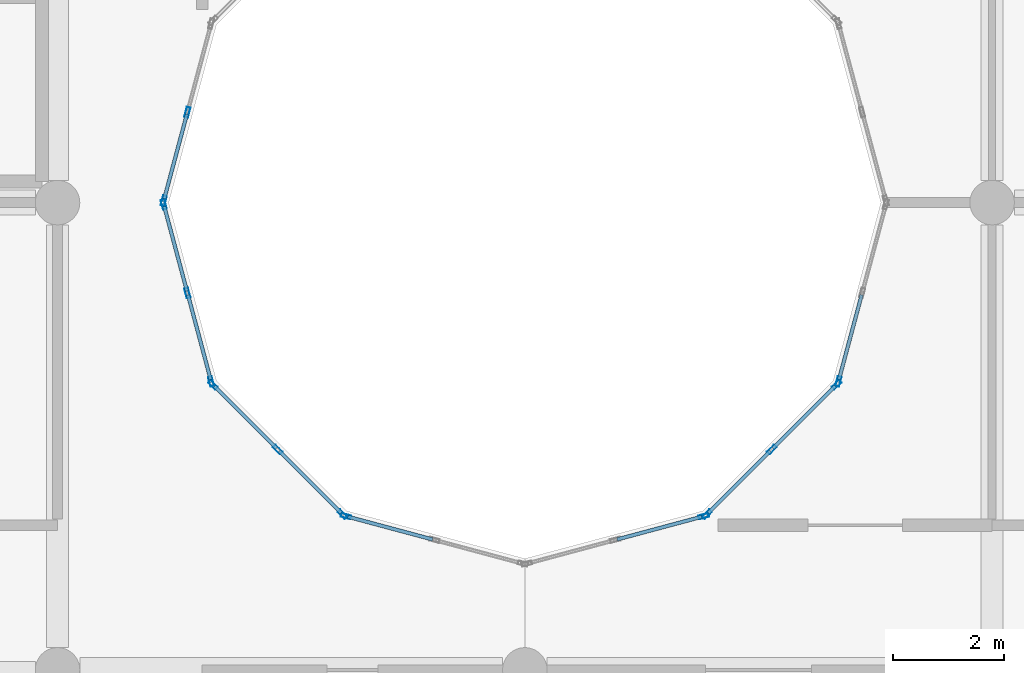
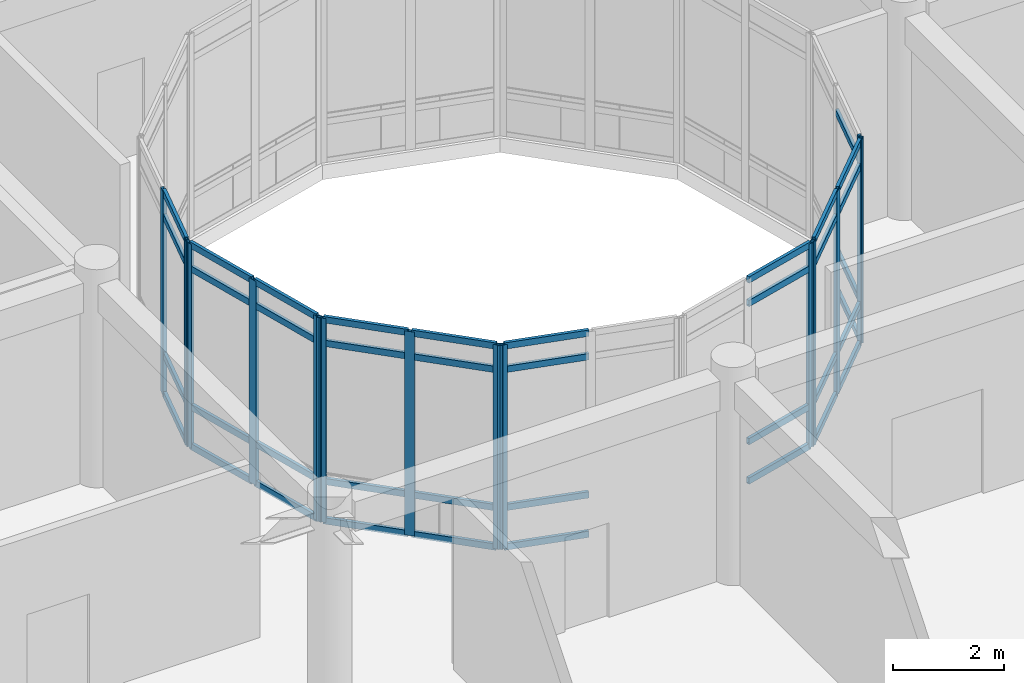
# One storey, part 42 of 138: 53 members, 7 elements without a shape of their own.
"""IFC4 building model written with IfcOpenShell, lengths in metres."""

from ifc_helpers import new_model, si_unit, direction, frame, origin, origin_2d, place, context, subcontext, project, spatial, hollow_rectangle, extrude, material, layer, layer_set, material_profile, profile_set, type_object, element, aggregate, save


model = new_model("IFC4")

# Units and contexts
model_context = context("Model", 3, precision=1e-05, world=origin(), true_north=direction((0.0, 1.0)))
body_context = subcontext(model_context, "Body", "Model", "MODEL_VIEW")
ifc_project = project(units=[si_unit("LENGTHUNIT", "METRE"), si_unit("AREAUNIT", "SQUARE_METRE"), si_unit("VOLUMEUNIT", "CUBIC_METRE"), si_unit("PLANEANGLEUNIT", "RADIAN"), si_unit("MASSUNIT", "GRAM", prefix="KILO")], contexts=[model_context])

# Site, building, storey
site_placement = place(None, origin())
site = spatial("IfcSite", under=ifc_project, at=site_placement, CompositionType="ELEMENT")
building_placement = place(site_placement, origin())
building = spatial("IfcBuilding", under=site, at=building_placement, Name="Bramfleet General Hospital", CompositionType="ELEMENT")
storey_placement = place(building_placement, origin())
storey = spatial("IfcBuildingStorey", under=building, at=storey_placement, Name="L00", CompositionType="ELEMENT", Elevation=0.0)

# Curtain wall, members
ifc_material_1 = material(Name="Anodised aluminium and low-E triple glazing", Category="aluminium")
ifc_layer_1 = layer(ifc_material_1, 0.179931640625, Name="CWT-CW-13")
ifc_layer_set_1 = layer_set([ifc_layer_1], Name="Anodised aluminium and low-E triple glazing")
curtain_wall_type_1 = type_object("IfcCurtainWallType", Name="CWT-CW-13", PredefinedType="USERDEFINED", material=ifc_layer_set_1)
curtain_wall_1_placement = place(storey_placement, origin())
curtain_wall_1 = element("IfcCurtainWall", 1, at=curtain_wall_1_placement, inside=storey, type_object=curtain_wall_type_1, Name="L00 East Laboratory Light Court Curtain Wall 1.1", ObjectType="Stick curtain wall", PredefinedType="USERDEFINED")
ifc_material_2 = material(Name="Anodised aluminium EN AW-6060", Category="aluminium")
ifc_material_profile_1 = material_profile(ifc_material_2, hollow_rectangle(XDim=0.070068359375, YDim=0.179931640625, WallThickness=0.00390625, at=origin_2d()), Name="ALU 180x70x4.0")
ifc_profile_set_1 = profile_set([ifc_material_profile_1], Name="Anodised aluminium EN AW-6060")
member_type_1 = type_object("IfcMemberType", Name="CWM-ALU180", PredefinedType="MULLION", material=ifc_profile_set_1)
member_1_placement = place(storey_placement, frame((111.109130859375, 67.166259765625, 0.0), z_axis=(0.0, 0.0, 1.0), x_axis=(0.965913556273, 0.258864833085, 0.0)))
member_1 = element("IfcMember", 2, at=member_1_placement, type_object=member_type_1, Name="CW-13 mullion 1", PredefinedType="MULLION", context=body_context, shape_type="SweptSolid", body=[
    extrude(hollow_rectangle(XDim=0.070068359375, YDim=0.179931640625, WallThickness=0.00390625, at=origin_2d()), origin(), (0.0, 0.0, 1.0), 4.489990234375),
])
member_2_placement = place(storey_placement, frame((111.535400390625, 65.574951171875, 0.0), z_axis=(0.0, 0.0, 1.0), x_axis=(0.965913556273, 0.258864833085, 0.0)))
member_2 = element("IfcMember", 3, at=member_2_placement, type_object=member_type_1, Name="CW-13 mullion 2", PredefinedType="MULLION", context=body_context, shape_type="SweptSolid", body=[
    extrude(hollow_rectangle(XDim=0.070068359375, YDim=0.179931640625, WallThickness=0.00390625, at=origin_2d()), origin(), (0.0, 0.0, 1.0), 4.489990234375),
])
member_3_placement = place(storey_placement, frame((111.9619140625, 63.98388671875, 0.0), z_axis=(0.0, 0.0, 1.0), x_axis=(0.965913556273, 0.258864833085, 0.0)))
member_3 = element("IfcMember", 4, at=member_3_placement, type_object=member_type_1, Name="CW-13 mullion 3", PredefinedType="MULLION", context=body_context, shape_type="SweptSolid", body=[
    extrude(hollow_rectangle(XDim=0.070068359375, YDim=0.179931640625, WallThickness=0.00390625, at=origin_2d()), origin(), (0.0, 0.0, 1.0), 4.489990234375),
])

ifc_layer_2 = layer(ifc_material_1, 0.179931640625, Name="CWT-CW-14")
ifc_layer_set_2 = layer_set([ifc_layer_2], Name="Anodised aluminium and low-E triple glazing")
curtain_wall_type_2 = type_object("IfcCurtainWallType", Name="CWT-CW-14", PredefinedType="USERDEFINED", material=ifc_layer_set_2)
curtain_wall_2_placement = place(storey_placement, origin())
curtain_wall_2 = element("IfcCurtainWall", 5, at=curtain_wall_2_placement, inside=storey, type_object=curtain_wall_type_2, Name="L00 East Laboratory Light Court Curtain Wall 2.1", ObjectType="Stick curtain wall", PredefinedType="USERDEFINED")
member_4_placement = place(storey_placement, frame((111.995849609375, 63.92529296875, 0.0), z_axis=(0.0, 0.0, 1.0), x_axis=(0.707106781187, 0.707106781187, 0.0)))
member_4 = element("IfcMember", 6, at=member_4_placement, type_object=member_type_1, Name="CW-14 mullion 1", PredefinedType="MULLION", context=body_context, shape_type="SweptSolid", body=[
    extrude(hollow_rectangle(XDim=0.070068359375, YDim=0.179931640625, WallThickness=0.00390625, at=origin_2d()), origin(), (0.0, 0.0, 1.0), 4.489990234375),
])
member_5_placement = place(storey_placement, frame((113.160400390625, 62.760498046875, 0.0), z_axis=(0.0, 0.0, 1.0), x_axis=(0.707106781187, 0.707106781187, 0.0)))
member_5 = element("IfcMember", 7, at=member_5_placement, type_object=member_type_1, Name="CW-14 mullion 2", PredefinedType="MULLION", context=body_context, shape_type="SweptSolid", body=[
    extrude(hollow_rectangle(XDim=0.070068359375, YDim=0.179931640625, WallThickness=0.00390625, at=origin_2d()), origin(), (0.0, 0.0, 1.0), 4.489990234375),
])
member_6_placement = place(storey_placement, frame((114.3251953125, 61.595703125, 0.0), z_axis=(0.0, 0.0, 1.0), x_axis=(0.707106781187, 0.707106781187, 0.0)))
member_6 = element("IfcMember", 8, at=member_6_placement, type_object=member_type_1, Name="CW-14 mullion 3", PredefinedType="MULLION", context=body_context, shape_type="SweptSolid", body=[
    extrude(hollow_rectangle(XDim=0.070068359375, YDim=0.179931640625, WallThickness=0.00390625, at=origin_2d()), origin(), (0.0, 0.0, 1.0), 4.489990234375),
])

# Curtain wall, member
ifc_layer_3 = layer(ifc_material_1, 0.179931640625, Name="CWT-CW-15")
ifc_layer_set_3 = layer_set([ifc_layer_3], Name="Anodised aluminium and low-E triple glazing")
curtain_wall_type_3 = type_object("IfcCurtainWallType", Name="CWT-CW-15", PredefinedType="USERDEFINED", material=ifc_layer_set_3)
curtain_wall_3_placement = place(storey_placement, origin())
curtain_wall_3 = element("IfcCurtainWall", 9, at=curtain_wall_3_placement, inside=storey, type_object=curtain_wall_type_3, Name="L00 East Laboratory Light Court Curtain Wall 3.1", ObjectType="Stick curtain wall", PredefinedType="USERDEFINED")
member_7_placement = place(storey_placement, frame((114.3837890625, 61.56201171875, 0.0), z_axis=(0.0, 0.0, 1.0), x_axis=(0.258864833085, 0.965913556273, 0.0)))
member_7 = element("IfcMember", 10, at=member_7_placement, type_object=member_type_1, Name="CW-15 mullion 1", PredefinedType="MULLION", context=body_context, shape_type="SweptSolid", body=[
    extrude(hollow_rectangle(XDim=0.070068359375, YDim=0.179931640625, WallThickness=0.00390625, at=origin_2d()), origin(), (0.0, 0.0, 1.0), 4.489990234375),
])

ifc_layer_4 = layer(ifc_material_1, 0.179931640625, Name="CWT-CW-16")
ifc_layer_set_4 = layer_set([ifc_layer_4], Name="Anodised aluminium and low-E triple glazing")
curtain_wall_type_4 = type_object("IfcCurtainWallType", Name="CWT-CW-16", PredefinedType="USERDEFINED", material=ifc_layer_set_4)
curtain_wall_4_placement = place(storey_placement, origin())
curtain_wall_4 = element("IfcCurtainWall", 11, at=curtain_wall_4_placement, inside=storey, type_object=curtain_wall_type_4, Name="L00 East Laboratory Light Court Curtain Wall 4.1", ObjectType="Stick curtain wall", PredefinedType="USERDEFINED")
member_8_placement = place(storey_placement, frame((120.816162109375, 61.56201171875, 0.0), z_axis=(0.0, 0.0, 1.0), x_axis=(-0.258864833085, 0.965913556273, 0.0)))
member_8 = element("IfcMember", 12, at=member_8_placement, type_object=member_type_1, Name="CW-16 mullion 3", PredefinedType="MULLION", context=body_context, shape_type="SweptSolid", body=[
    extrude(hollow_rectangle(XDim=0.070068359375, YDim=0.179931640625, WallThickness=0.00390625, at=origin_2d()), origin(), (0.0, 0.0, 1.0), 4.489990234375),
])

# Curtain wall, members
ifc_layer_5 = layer(ifc_material_1, 0.179931640625, Name="CWT-CW-17")
ifc_layer_set_5 = layer_set([ifc_layer_5], Name="Anodised aluminium and low-E triple glazing")
curtain_wall_type_5 = type_object("IfcCurtainWallType", Name="CWT-CW-17", PredefinedType="USERDEFINED", material=ifc_layer_set_5)
curtain_wall_5_placement = place(storey_placement, origin())
curtain_wall_5 = element("IfcCurtainWall", 13, at=curtain_wall_5_placement, inside=storey, type_object=curtain_wall_type_5, Name="L00 East Laboratory Light Court Curtain Wall 5.1", ObjectType="Stick curtain wall", PredefinedType="USERDEFINED")
member_9_placement = place(storey_placement, frame((120.874755859375, 61.595703125, 0.0), z_axis=(0.0, 0.0, 1.0), x_axis=(-0.707106781187, 0.707106781187, 0.0)))
member_9 = element("IfcMember", 14, at=member_9_placement, type_object=member_type_1, Name="CW-17 mullion 1", PredefinedType="MULLION", context=body_context, shape_type="SweptSolid", body=[
    extrude(hollow_rectangle(XDim=0.070068359375, YDim=0.179931640625, WallThickness=0.00390625, at=origin_2d()), origin(), (0.0, 0.0, 1.0), 4.489990234375),
])
member_10_placement = place(storey_placement, frame((122.03955078125, 62.760498046875, 0.0), z_axis=(0.0, 0.0, 1.0), x_axis=(-0.707106781187, 0.707106781187, 0.0)))
member_10 = element("IfcMember", 15, at=member_10_placement, type_object=member_type_1, Name="CW-17 mullion 2", PredefinedType="MULLION", context=body_context, shape_type="SweptSolid", body=[
    extrude(hollow_rectangle(XDim=0.070068359375, YDim=0.179931640625, WallThickness=0.00390625, at=origin_2d()), origin(), (0.0, 0.0, 1.0), 4.489990234375),
])
member_11_placement = place(storey_placement, frame((123.204345703125, 63.92529296875, 0.0), z_axis=(0.0, 0.0, 1.0), x_axis=(-0.707106781187, 0.707106781187, 0.0)))
member_11 = element("IfcMember", 16, at=member_11_placement, type_object=member_type_1, Name="CW-17 mullion 3", PredefinedType="MULLION", context=body_context, shape_type="SweptSolid", body=[
    extrude(hollow_rectangle(XDim=0.070068359375, YDim=0.179931640625, WallThickness=0.00390625, at=origin_2d()), origin(), (0.0, 0.0, 1.0), 4.489990234375),
])

# Curtain wall, member
ifc_layer_6 = layer(ifc_material_1, 0.179931640625, Name="CWT-CW-18")
ifc_layer_set_6 = layer_set([ifc_layer_6], Name="Anodised aluminium and low-E triple glazing")
curtain_wall_type_6 = type_object("IfcCurtainWallType", Name="CWT-CW-18", PredefinedType="USERDEFINED", material=ifc_layer_set_6)
curtain_wall_6_placement = place(storey_placement, origin())
curtain_wall_6 = element("IfcCurtainWall", 17, at=curtain_wall_6_placement, inside=storey, type_object=curtain_wall_type_6, Name="L00 East Laboratory Light Court Curtain Wall 6.1", ObjectType="Stick curtain wall", PredefinedType="USERDEFINED")
member_12_placement = place(storey_placement, frame((123.238037109375, 63.98388671875, 0.0), z_axis=(0.0, 0.0, 1.0), x_axis=(-0.965913556273, 0.258864833085, 0.0)))
member_12 = element("IfcMember", 18, at=member_12_placement, type_object=member_type_1, Name="CW-18 mullion 1", PredefinedType="MULLION", context=body_context, shape_type="SweptSolid", body=[
    extrude(hollow_rectangle(XDim=0.070068359375, YDim=0.179931640625, WallThickness=0.00390625, at=origin_2d()), origin(), (0.0, 0.0, 1.0), 4.489990234375),
])

# Curtain wall, members
curtain_wall_7_placement = place(storey_placement, origin())
curtain_wall_7 = element("IfcCurtainWall", 19, at=curtain_wall_7_placement, inside=storey, type_object=curtain_wall_type_4, Name="L00 East Laboratory Light Court Curtain Wall 12.1", ObjectType="Stick curtain wall", PredefinedType="USERDEFINED")
member_13_placement = place(storey_placement, frame((111.535400390625, 68.824951171875, 0.0), z_axis=(0.0, 0.0, 1.0), x_axis=(0.965913556273, -0.258864833085, 0.0)))
member_13 = element("IfcMember", 20, at=member_13_placement, type_object=member_type_1, Name="CW-16 mullion 2", PredefinedType="MULLION", context=body_context, shape_type="SweptSolid", body=[
    extrude(hollow_rectangle(XDim=0.070068359375, YDim=0.179931640625, WallThickness=0.00390625, at=origin_2d()), origin(), (0.0, 0.0, 1.0), 4.489990234375),
])
member_14_placement = place(storey_placement, frame((111.109130859375, 67.23388671875, 0.0), z_axis=(0.0, 0.0, 1.0), x_axis=(0.965913556273, -0.258864833085, 0.0)))
member_14 = element("IfcMember", 21, at=member_14_placement, type_object=member_type_1, Name="CW-16 mullion 3", PredefinedType="MULLION", context=body_context, shape_type="SweptSolid", body=[
    extrude(hollow_rectangle(XDim=0.070068359375, YDim=0.179931640625, WallThickness=0.00390625, at=origin_2d()), origin(), (0.0, 0.0, 1.0), 4.489990234375),
])

# Member
ifc_material_profile_2 = material_profile(ifc_material_2, hollow_rectangle(XDim=0.06494140625, YDim=0.139892578125, WallThickness=0.00390625, at=origin_2d()), Name="ALU 140x65x4.0")
ifc_profile_set_2 = profile_set([ifc_material_profile_2], Name="Anodised aluminium EN AW-6060")
member_type_2 = type_object("IfcMemberType", Name="CWT-ALU140", PredefinedType="USERDEFINED", material=ifc_profile_set_2)
member_15_placement = place(storey_placement, frame((111.1181640625, 67.13232421875, 0.032470703125), z_axis=(0.258818617489, -0.965925940868, 0.0), x_axis=(0.965925940868, 0.258818617489, 0.0)))
member_15 = element("IfcMember", 22, at=member_15_placement, type_object=member_type_2, Name="CW-13 transom 1.1", ObjectType="TRANSOM", PredefinedType="USERDEFINED", context=body_context, shape_type="SweptSolid", body=[
    extrude(hollow_rectangle(XDim=0.06494140625, YDim=0.139892578125, WallThickness=0.00390625, at=origin_2d()), origin(), (0.0, 0.0, 1.0), 1.5771484375),
])

member_16_placement = place(storey_placement, frame((111.1181640625, 67.13232421875, 0.89990234375), z_axis=(0.258818617489, -0.965925940868, 0.0), x_axis=(0.965925940868, 0.258818617489, 0.0)))
member_16 = element("IfcMember", 23, at=member_16_placement, type_object=member_type_2, Name="CW-13 transom 1.2", ObjectType="TRANSOM", PredefinedType="USERDEFINED", context=body_context, shape_type="SweptSolid", body=[
    extrude(hollow_rectangle(XDim=0.06494140625, YDim=0.139892578125, WallThickness=0.00390625, at=origin_2d()), origin(), (0.0, 0.0, 1.0), 1.5771484375),
])

member_17_placement = place(storey_placement, frame((111.1181640625, 67.13232421875, 3.93994140625), z_axis=(0.258818617489, -0.965925940868, 0.0), x_axis=(0.965925940868, 0.258818617489, 0.0)))
member_17 = element("IfcMember", 24, at=member_17_placement, type_object=member_type_2, Name="CW-13 transom 1.3", ObjectType="TRANSOM", PredefinedType="USERDEFINED", context=body_context, shape_type="SweptSolid", body=[
    extrude(hollow_rectangle(XDim=0.06494140625, YDim=0.139892578125, WallThickness=0.00390625, at=origin_2d()), origin(), (0.0, 0.0, 1.0), 1.5771484375),
])

member_18_placement = place(storey_placement, frame((111.1181640625, 67.13232421875, 4.45751953125), z_axis=(0.258818617489, -0.965925940868, 0.0), x_axis=(0.965925940868, 0.258818617489, 0.0)))
member_18 = element("IfcMember", 25, at=member_18_placement, type_object=member_type_2, Name="CW-13 transom 1.4", ObjectType="TRANSOM", PredefinedType="USERDEFINED", context=body_context, shape_type="SweptSolid", body=[
    extrude(hollow_rectangle(XDim=0.06494140625, YDim=0.139892578125, WallThickness=0.00390625, at=origin_2d()), origin(), (0.0, 0.0, 1.0), 1.5771484375),
])

member_19_placement = place(storey_placement, frame((111.544677734375, 65.541259765625, 0.032470703125), z_axis=(0.25877992417, -0.965936307862, 0.0), x_axis=(0.965936307862, 0.25877992417, 0.0)))
member_19 = element("IfcMember", 26, at=member_19_placement, type_object=member_type_2, Name="CW-13 transom 2.1", ObjectType="TRANSOM", PredefinedType="USERDEFINED", context=body_context, shape_type="SweptSolid", body=[
    extrude(hollow_rectangle(XDim=0.06494140625, YDim=0.139892578125, WallThickness=0.00390625, at=origin_2d()), origin(), (0.0, 0.0, 1.0), 1.577392578125),
])

member_20_placement = place(storey_placement, frame((111.544677734375, 65.541259765625, 0.89990234375), z_axis=(0.25877992417, -0.965936307862, 0.0), x_axis=(0.965936307862, 0.25877992417, 0.0)))
member_20 = element("IfcMember", 27, at=member_20_placement, type_object=member_type_2, Name="CW-13 transom 2.2", ObjectType="TRANSOM", PredefinedType="USERDEFINED", context=body_context, shape_type="SweptSolid", body=[
    extrude(hollow_rectangle(XDim=0.06494140625, YDim=0.139892578125, WallThickness=0.00390625, at=origin_2d()), origin(), (0.0, 0.0, 1.0), 1.577392578125),
])

member_21_placement = place(storey_placement, frame((111.544677734375, 65.541259765625, 3.93994140625), z_axis=(0.25877992417, -0.965936307862, 0.0), x_axis=(0.965936307862, 0.25877992417, 0.0)))
member_21 = element("IfcMember", 28, at=member_21_placement, type_object=member_type_2, Name="CW-13 transom 2.3", ObjectType="TRANSOM", PredefinedType="USERDEFINED", context=body_context, shape_type="SweptSolid", body=[
    extrude(hollow_rectangle(XDim=0.06494140625, YDim=0.139892578125, WallThickness=0.00390625, at=origin_2d()), origin(), (0.0, 0.0, 1.0), 1.577392578125),
])

member_22_placement = place(storey_placement, frame((111.544677734375, 65.541259765625, 4.45751953125), z_axis=(0.25877992417, -0.965936307862, 0.0), x_axis=(0.965936307862, 0.25877992417, 0.0)))
member_22 = element("IfcMember", 29, at=member_22_placement, type_object=member_type_2, Name="CW-13 transom 2.4", ObjectType="TRANSOM", PredefinedType="USERDEFINED", context=body_context, shape_type="SweptSolid", body=[
    extrude(hollow_rectangle(XDim=0.06494140625, YDim=0.139892578125, WallThickness=0.00390625, at=origin_2d()), origin(), (0.0, 0.0, 1.0), 1.577392578125),
])

aggregate(curtain_wall_1, [member_1, member_2, member_3, member_15, member_16, member_17, member_18, member_19, member_20, member_21, member_22])

member_23_placement = place(storey_placement, frame((112.0205078125, 63.900390625, 0.032470703125), z_axis=(0.707106781187, -0.707106781187, 0.0), x_axis=(0.707106781187, 0.707106781187, 0.0)))
member_23 = element("IfcMember", 30, at=member_23_placement, type_object=member_type_2, Name="CW-14 transom 1.1", ObjectType="TRANSOM", PredefinedType="USERDEFINED", context=body_context, shape_type="SweptSolid", body=[
    extrude(hollow_rectangle(XDim=0.06494140625, YDim=0.139892578125, WallThickness=0.00390625, at=origin_2d()), origin(), (0.0, 0.0, 1.0), 1.5771484375),
])

member_24_placement = place(storey_placement, frame((112.0205078125, 63.900390625, 0.89990234375), z_axis=(0.707106781187, -0.707106781187, 0.0), x_axis=(0.707106781187, 0.707106781187, 0.0)))
member_24 = element("IfcMember", 31, at=member_24_placement, type_object=member_type_2, Name="CW-14 transom 1.2", ObjectType="TRANSOM", PredefinedType="USERDEFINED", context=body_context, shape_type="SweptSolid", body=[
    extrude(hollow_rectangle(XDim=0.06494140625, YDim=0.139892578125, WallThickness=0.00390625, at=origin_2d()), origin(), (0.0, 0.0, 1.0), 1.5771484375),
])

member_25_placement = place(storey_placement, frame((112.0205078125, 63.900390625, 3.93994140625), z_axis=(0.707106781187, -0.707106781187, 0.0), x_axis=(0.707106781187, 0.707106781187, 0.0)))
member_25 = element("IfcMember", 32, at=member_25_placement, type_object=member_type_2, Name="CW-14 transom 1.3", ObjectType="TRANSOM", PredefinedType="USERDEFINED", context=body_context, shape_type="SweptSolid", body=[
    extrude(hollow_rectangle(XDim=0.06494140625, YDim=0.139892578125, WallThickness=0.00390625, at=origin_2d()), origin(), (0.0, 0.0, 1.0), 1.5771484375),
])

member_26_placement = place(storey_placement, frame((112.0205078125, 63.900390625, 4.45751953125), z_axis=(0.707106781187, -0.707106781187, 0.0), x_axis=(0.707106781187, 0.707106781187, 0.0)))
member_26 = element("IfcMember", 33, at=member_26_placement, type_object=member_type_2, Name="CW-14 transom 1.4", ObjectType="TRANSOM", PredefinedType="USERDEFINED", context=body_context, shape_type="SweptSolid", body=[
    extrude(hollow_rectangle(XDim=0.06494140625, YDim=0.139892578125, WallThickness=0.00390625, at=origin_2d()), origin(), (0.0, 0.0, 1.0), 1.5771484375),
])

member_27_placement = place(storey_placement, frame((113.185302734375, 62.73583984375, 0.032470703125), z_axis=(0.707106781187, -0.707106781187, 0.0), x_axis=(0.707106781187, 0.707106781187, 0.0)))
member_27 = element("IfcMember", 34, at=member_27_placement, type_object=member_type_2, Name="CW-14 transom 2.1", ObjectType="TRANSOM", PredefinedType="USERDEFINED", context=body_context, shape_type="SweptSolid", body=[
    extrude(hollow_rectangle(XDim=0.06494140625, YDim=0.139892578125, WallThickness=0.00390625, at=origin_2d()), origin(), (0.0, 0.0, 1.0), 1.5771484375),
])

member_28_placement = place(storey_placement, frame((113.185302734375, 62.73583984375, 0.89990234375), z_axis=(0.707106781187, -0.707106781187, 0.0), x_axis=(0.707106781187, 0.707106781187, 0.0)))
member_28 = element("IfcMember", 35, at=member_28_placement, type_object=member_type_2, Name="CW-14 transom 2.2", ObjectType="TRANSOM", PredefinedType="USERDEFINED", context=body_context, shape_type="SweptSolid", body=[
    extrude(hollow_rectangle(XDim=0.06494140625, YDim=0.139892578125, WallThickness=0.00390625, at=origin_2d()), origin(), (0.0, 0.0, 1.0), 1.5771484375),
])

member_29_placement = place(storey_placement, frame((113.185302734375, 62.73583984375, 3.93994140625), z_axis=(0.707106781187, -0.707106781187, 0.0), x_axis=(0.707106781187, 0.707106781187, 0.0)))
member_29 = element("IfcMember", 36, at=member_29_placement, type_object=member_type_2, Name="CW-14 transom 2.3", ObjectType="TRANSOM", PredefinedType="USERDEFINED", context=body_context, shape_type="SweptSolid", body=[
    extrude(hollow_rectangle(XDim=0.06494140625, YDim=0.139892578125, WallThickness=0.00390625, at=origin_2d()), origin(), (0.0, 0.0, 1.0), 1.5771484375),
])

member_30_placement = place(storey_placement, frame((113.185302734375, 62.73583984375, 4.45751953125), z_axis=(0.707106781187, -0.707106781187, 0.0), x_axis=(0.707106781187, 0.707106781187, 0.0)))
member_30 = element("IfcMember", 37, at=member_30_placement, type_object=member_type_2, Name="CW-14 transom 2.4", ObjectType="TRANSOM", PredefinedType="USERDEFINED", context=body_context, shape_type="SweptSolid", body=[
    extrude(hollow_rectangle(XDim=0.06494140625, YDim=0.139892578125, WallThickness=0.00390625, at=origin_2d()), origin(), (0.0, 0.0, 1.0), 1.5771484375),
])

aggregate(curtain_wall_2, [member_4, member_5, member_6, member_23, member_24, member_25, member_26, member_27, member_28, member_29, member_30])

member_31_placement = place(storey_placement, frame((114.417724609375, 61.552978515625, 0.032470703125), z_axis=(0.965887232725, -0.258963035312, 0.0), x_axis=(0.258963035312, 0.965887232725, 0.0)))
member_31 = element("IfcMember", 38, at=member_31_placement, type_object=member_type_2, Name="CW-15 transom 1.1", ObjectType="TRANSOM", PredefinedType="USERDEFINED", context=body_context, shape_type="SweptSolid", body=[
    extrude(hollow_rectangle(XDim=0.06494140625, YDim=0.139892578125, WallThickness=0.00390625, at=origin_2d()), origin(), (0.0, 0.0, 1.0), 1.5771484375),
])

member_32_placement = place(storey_placement, frame((114.417724609375, 61.552978515625, 0.89990234375), z_axis=(0.965887232725, -0.258963035312, 0.0), x_axis=(0.258963035312, 0.965887232725, 0.0)))
member_32 = element("IfcMember", 39, at=member_32_placement, type_object=member_type_2, Name="CW-15 transom 1.2", ObjectType="TRANSOM", PredefinedType="USERDEFINED", context=body_context, shape_type="SweptSolid", body=[
    extrude(hollow_rectangle(XDim=0.06494140625, YDim=0.139892578125, WallThickness=0.00390625, at=origin_2d()), origin(), (0.0, 0.0, 1.0), 1.5771484375),
])

member_33_placement = place(storey_placement, frame((114.417724609375, 61.552978515625, 3.93994140625), z_axis=(0.965887232725, -0.258963035312, 0.0), x_axis=(0.258963035312, 0.965887232725, 0.0)))
member_33 = element("IfcMember", 40, at=member_33_placement, type_object=member_type_2, Name="CW-15 transom 1.3", ObjectType="TRANSOM", PredefinedType="USERDEFINED", context=body_context, shape_type="SweptSolid", body=[
    extrude(hollow_rectangle(XDim=0.06494140625, YDim=0.139892578125, WallThickness=0.00390625, at=origin_2d()), origin(), (0.0, 0.0, 1.0), 1.5771484375),
])

member_34_placement = place(storey_placement, frame((114.417724609375, 61.552978515625, 4.45751953125), z_axis=(0.965887232725, -0.258963035312, 0.0), x_axis=(0.258963035312, 0.965887232725, 0.0)))
member_34 = element("IfcMember", 41, at=member_34_placement, type_object=member_type_2, Name="CW-15 transom 1.4", ObjectType="TRANSOM", PredefinedType="USERDEFINED", context=body_context, shape_type="SweptSolid", body=[
    extrude(hollow_rectangle(XDim=0.06494140625, YDim=0.139892578125, WallThickness=0.00390625, at=origin_2d()), origin(), (0.0, 0.0, 1.0), 1.5771484375),
])

aggregate(curtain_wall_3, [member_7, member_31, member_32, member_33, member_34])

member_35_placement = place(storey_placement, frame((119.2587890625, 61.14453125, 0.032470703125), z_axis=(0.965897610877, 0.258924323505, 0.0), x_axis=(-0.258924323505, 0.965897610877, 0.0)))
member_35 = element("IfcMember", 42, at=member_35_placement, type_object=member_type_2, Name="CW-16 transom 2.1", ObjectType="TRANSOM", PredefinedType="USERDEFINED", context=body_context, shape_type="SweptSolid", body=[
    extrude(hollow_rectangle(XDim=0.06494140625, YDim=0.139892578125, WallThickness=0.00390625, at=origin_2d()), origin(), (0.0, 0.0, 1.0), 1.577392578125),
])

member_36_placement = place(storey_placement, frame((119.2587890625, 61.14453125, 0.89990234375), z_axis=(0.965897610877, 0.258924323505, 0.0), x_axis=(-0.258924323505, 0.965897610877, 0.0)))
member_36 = element("IfcMember", 43, at=member_36_placement, type_object=member_type_2, Name="CW-16 transom 2.2", ObjectType="TRANSOM", PredefinedType="USERDEFINED", context=body_context, shape_type="SweptSolid", body=[
    extrude(hollow_rectangle(XDim=0.06494140625, YDim=0.139892578125, WallThickness=0.00390625, at=origin_2d()), origin(), (0.0, 0.0, 1.0), 1.577392578125),
])

member_37_placement = place(storey_placement, frame((119.2587890625, 61.14453125, 3.93994140625), z_axis=(0.965897610877, 0.258924323505, 0.0), x_axis=(-0.258924323505, 0.965897610877, 0.0)))
member_37 = element("IfcMember", 44, at=member_37_placement, type_object=member_type_2, Name="CW-16 transom 2.3", ObjectType="TRANSOM", PredefinedType="USERDEFINED", context=body_context, shape_type="SweptSolid", body=[
    extrude(hollow_rectangle(XDim=0.06494140625, YDim=0.139892578125, WallThickness=0.00390625, at=origin_2d()), origin(), (0.0, 0.0, 1.0), 1.577392578125),
])

member_38_placement = place(storey_placement, frame((119.2587890625, 61.14453125, 4.45751953125), z_axis=(0.965897610877, 0.258924323505, 0.0), x_axis=(-0.258924323505, 0.965897610877, 0.0)))
member_38 = element("IfcMember", 45, at=member_38_placement, type_object=member_type_2, Name="CW-16 transom 2.4", ObjectType="TRANSOM", PredefinedType="USERDEFINED", context=body_context, shape_type="SweptSolid", body=[
    extrude(hollow_rectangle(XDim=0.06494140625, YDim=0.139892578125, WallThickness=0.00390625, at=origin_2d()), origin(), (0.0, 0.0, 1.0), 1.577392578125),
])

aggregate(curtain_wall_4, [member_8, member_35, member_36, member_37, member_38])

member_39_placement = place(storey_placement, frame((120.8994140625, 61.62060546875, 0.032470703125), z_axis=(0.707106781187, 0.707106781187, 0.0), x_axis=(-0.707106781187, 0.707106781187, 0.0)))
member_39 = element("IfcMember", 46, at=member_39_placement, type_object=member_type_2, Name="CW-17 transom 1.1", ObjectType="TRANSOM", PredefinedType="USERDEFINED", context=body_context, shape_type="SweptSolid", body=[
    extrude(hollow_rectangle(XDim=0.06494140625, YDim=0.139892578125, WallThickness=0.00390625, at=origin_2d()), origin(), (0.0, 0.0, 1.0), 1.5771484375),
])

member_40_placement = place(storey_placement, frame((120.8994140625, 61.62060546875, 0.89990234375), z_axis=(0.707106781187, 0.707106781187, 0.0), x_axis=(-0.707106781187, 0.707106781187, 0.0)))
member_40 = element("IfcMember", 47, at=member_40_placement, type_object=member_type_2, Name="CW-17 transom 1.2", ObjectType="TRANSOM", PredefinedType="USERDEFINED", context=body_context, shape_type="SweptSolid", body=[
    extrude(hollow_rectangle(XDim=0.06494140625, YDim=0.139892578125, WallThickness=0.00390625, at=origin_2d()), origin(), (0.0, 0.0, 1.0), 1.5771484375),
])

member_41_placement = place(storey_placement, frame((120.8994140625, 61.62060546875, 3.93994140625), z_axis=(0.707106781187, 0.707106781187, 0.0), x_axis=(-0.707106781187, 0.707106781187, 0.0)))
member_41 = element("IfcMember", 48, at=member_41_placement, type_object=member_type_2, Name="CW-17 transom 1.3", ObjectType="TRANSOM", PredefinedType="USERDEFINED", context=body_context, shape_type="SweptSolid", body=[
    extrude(hollow_rectangle(XDim=0.06494140625, YDim=0.139892578125, WallThickness=0.00390625, at=origin_2d()), origin(), (0.0, 0.0, 1.0), 1.5771484375),
])

member_42_placement = place(storey_placement, frame((120.8994140625, 61.62060546875, 4.45751953125), z_axis=(0.707106781187, 0.707106781187, 0.0), x_axis=(-0.707106781187, 0.707106781187, 0.0)))
member_42 = element("IfcMember", 49, at=member_42_placement, type_object=member_type_2, Name="CW-17 transom 1.4", ObjectType="TRANSOM", PredefinedType="USERDEFINED", context=body_context, shape_type="SweptSolid", body=[
    extrude(hollow_rectangle(XDim=0.06494140625, YDim=0.139892578125, WallThickness=0.00390625, at=origin_2d()), origin(), (0.0, 0.0, 1.0), 1.5771484375),
])

member_43_placement = place(storey_placement, frame((122.064208984375, 62.78515625, 0.032470703125), z_axis=(0.707106781187, 0.707106781187, 0.0), x_axis=(-0.707106781187, 0.707106781187, 0.0)))
member_43 = element("IfcMember", 50, at=member_43_placement, type_object=member_type_2, Name="CW-17 transom 2.1", ObjectType="TRANSOM", PredefinedType="USERDEFINED", context=body_context, shape_type="SweptSolid", body=[
    extrude(hollow_rectangle(XDim=0.06494140625, YDim=0.139892578125, WallThickness=0.00390625, at=origin_2d()), origin(), (0.0, 0.0, 1.0), 1.5771484375),
])

member_44_placement = place(storey_placement, frame((122.064208984375, 62.78515625, 0.89990234375), z_axis=(0.707106781187, 0.707106781187, 0.0), x_axis=(-0.707106781187, 0.707106781187, 0.0)))
member_44 = element("IfcMember", 51, at=member_44_placement, type_object=member_type_2, Name="CW-17 transom 2.2", ObjectType="TRANSOM", PredefinedType="USERDEFINED", context=body_context, shape_type="SweptSolid", body=[
    extrude(hollow_rectangle(XDim=0.06494140625, YDim=0.139892578125, WallThickness=0.00390625, at=origin_2d()), origin(), (0.0, 0.0, 1.0), 1.5771484375),
])

member_45_placement = place(storey_placement, frame((122.064208984375, 62.78515625, 3.93994140625), z_axis=(0.707106781187, 0.707106781187, 0.0), x_axis=(-0.707106781187, 0.707106781187, 0.0)))
member_45 = element("IfcMember", 52, at=member_45_placement, type_object=member_type_2, Name="CW-17 transom 2.3", ObjectType="TRANSOM", PredefinedType="USERDEFINED", context=body_context, shape_type="SweptSolid", body=[
    extrude(hollow_rectangle(XDim=0.06494140625, YDim=0.139892578125, WallThickness=0.00390625, at=origin_2d()), origin(), (0.0, 0.0, 1.0), 1.5771484375),
])

member_46_placement = place(storey_placement, frame((122.064208984375, 62.78515625, 4.45751953125), z_axis=(0.707106781187, 0.707106781187, 0.0), x_axis=(-0.707106781187, 0.707106781187, 0.0)))
member_46 = element("IfcMember", 53, at=member_46_placement, type_object=member_type_2, Name="CW-17 transom 2.4", ObjectType="TRANSOM", PredefinedType="USERDEFINED", context=body_context, shape_type="SweptSolid", body=[
    extrude(hollow_rectangle(XDim=0.06494140625, YDim=0.139892578125, WallThickness=0.00390625, at=origin_2d()), origin(), (0.0, 0.0, 1.0), 1.5771484375),
])

aggregate(curtain_wall_5, [member_9, member_10, member_11, member_39, member_40, member_41, member_42, member_43, member_44, member_45, member_46])

member_47_placement = place(storey_placement, frame((123.2470703125, 64.017578125, 0.032470703125), z_axis=(0.258924323505, 0.965897610877, 0.0), x_axis=(-0.965897610877, 0.258924323505, 0.0)))
member_47 = element("IfcMember", 54, at=member_47_placement, type_object=member_type_2, Name="CW-18 transom 1.1", ObjectType="TRANSOM", PredefinedType="USERDEFINED", context=body_context, shape_type="SweptSolid", body=[
    extrude(hollow_rectangle(XDim=0.06494140625, YDim=0.139892578125, WallThickness=0.00390625, at=origin_2d()), origin(), (0.0, 0.0, 1.0), 1.577392578125),
])

member_48_placement = place(storey_placement, frame((123.2470703125, 64.017578125, 0.89990234375), z_axis=(0.258924323505, 0.965897610877, 0.0), x_axis=(-0.965897610877, 0.258924323505, 0.0)))
member_48 = element("IfcMember", 55, at=member_48_placement, type_object=member_type_2, Name="CW-18 transom 1.2", ObjectType="TRANSOM", PredefinedType="USERDEFINED", context=body_context, shape_type="SweptSolid", body=[
    extrude(hollow_rectangle(XDim=0.06494140625, YDim=0.139892578125, WallThickness=0.00390625, at=origin_2d()), origin(), (0.0, 0.0, 1.0), 1.577392578125),
])

member_49_placement = place(storey_placement, frame((123.2470703125, 64.017578125, 3.93994140625), z_axis=(0.258924323505, 0.965897610877, 0.0), x_axis=(-0.965897610877, 0.258924323505, 0.0)))
member_49 = element("IfcMember", 56, at=member_49_placement, type_object=member_type_2, Name="CW-18 transom 1.3", ObjectType="TRANSOM", PredefinedType="USERDEFINED", context=body_context, shape_type="SweptSolid", body=[
    extrude(hollow_rectangle(XDim=0.06494140625, YDim=0.139892578125, WallThickness=0.00390625, at=origin_2d()), origin(), (0.0, 0.0, 1.0), 1.577392578125),
])

aggregate(curtain_wall_6, [member_12, member_47, member_48, member_49])

member_50_placement = place(storey_placement, frame((111.5263671875, 68.791259765625, 0.032470703125), z_axis=(-0.25877992417, -0.965936307862, 0.0), x_axis=(0.965936307862, -0.25877992417, 0.0)))
member_50 = element("IfcMember", 57, at=member_50_placement, type_object=member_type_2, Name="CW-16 transom 2.1", ObjectType="TRANSOM", PredefinedType="USERDEFINED", context=body_context, shape_type="SweptSolid", body=[
    extrude(hollow_rectangle(XDim=0.06494140625, YDim=0.139892578125, WallThickness=0.00390625, at=origin_2d()), origin(), (0.0, 0.0, 1.0), 1.577392578125),
])

member_51_placement = place(storey_placement, frame((111.5263671875, 68.791259765625, 0.89990234375), z_axis=(-0.25877992417, -0.965936307862, 0.0), x_axis=(0.965936307862, -0.25877992417, 0.0)))
member_51 = element("IfcMember", 58, at=member_51_placement, type_object=member_type_2, Name="CW-16 transom 2.2", ObjectType="TRANSOM", PredefinedType="USERDEFINED", context=body_context, shape_type="SweptSolid", body=[
    extrude(hollow_rectangle(XDim=0.06494140625, YDim=0.139892578125, WallThickness=0.00390625, at=origin_2d()), origin(), (0.0, 0.0, 1.0), 1.577392578125),
])

member_52_placement = place(storey_placement, frame((111.5263671875, 68.791259765625, 3.93994140625), z_axis=(-0.25877992417, -0.965936307862, 0.0), x_axis=(0.965936307862, -0.25877992417, 0.0)))
member_52 = element("IfcMember", 59, at=member_52_placement, type_object=member_type_2, Name="CW-16 transom 2.3", ObjectType="TRANSOM", PredefinedType="USERDEFINED", context=body_context, shape_type="SweptSolid", body=[
    extrude(hollow_rectangle(XDim=0.06494140625, YDim=0.139892578125, WallThickness=0.00390625, at=origin_2d()), origin(), (0.0, 0.0, 1.0), 1.577392578125),
])

member_53_placement = place(storey_placement, frame((111.5263671875, 68.791259765625, 4.45751953125), z_axis=(-0.25877992417, -0.965936307862, 0.0), x_axis=(0.965936307862, -0.25877992417, 0.0)))
member_53 = element("IfcMember", 60, at=member_53_placement, type_object=member_type_2, Name="CW-16 transom 2.4", ObjectType="TRANSOM", PredefinedType="USERDEFINED", context=body_context, shape_type="SweptSolid", body=[
    extrude(hollow_rectangle(XDim=0.06494140625, YDim=0.139892578125, WallThickness=0.00390625, at=origin_2d()), origin(), (0.0, 0.0, 1.0), 1.577392578125),
])

aggregate(curtain_wall_7, [member_13, member_14, member_50, member_51, member_52, member_53])

save(model, "model.ifc")
